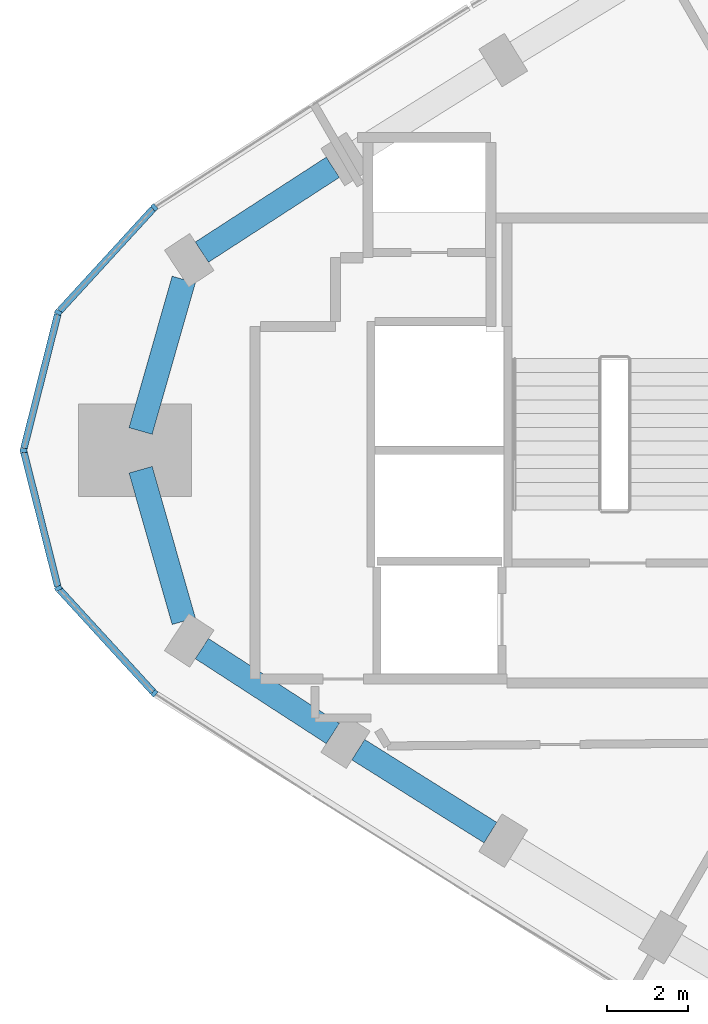
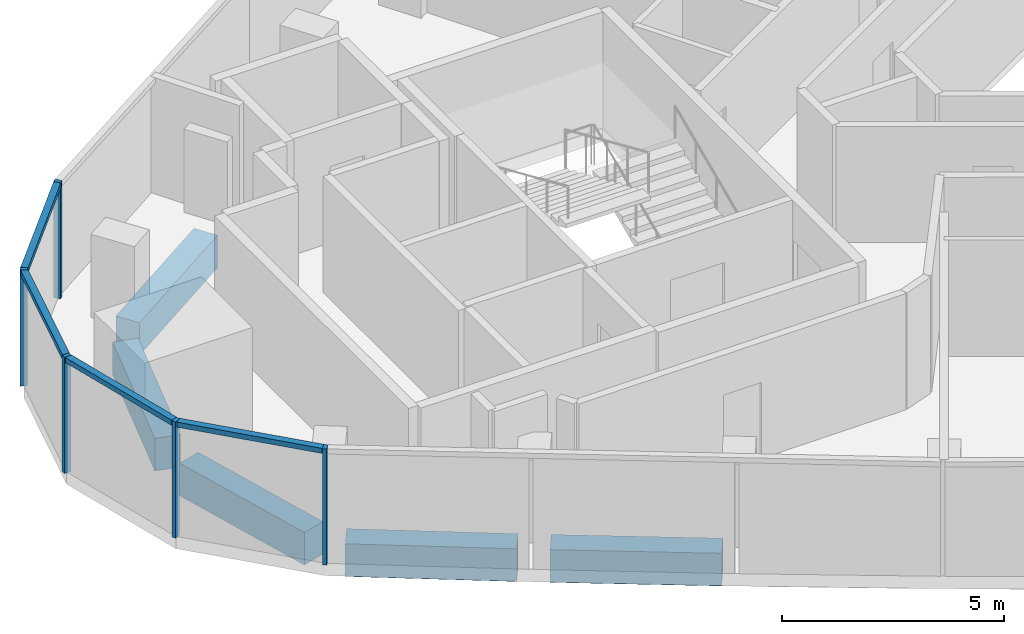
# One storey, part 2 of 11: 9 members, 5 beams, 2 elements without a shape of their own.
"""IFC4 building model written with IfcOpenShell, lengths in metres."""

from ifc_helpers import new_model, si_unit, direction, frame, origin, origin_2d, place, context, subcontext, project, spatial, rectangle, extrude, material, material_profile, profile_set, type_object, element, aggregate, save


model = new_model("IFC4")

# Units and contexts
model_context = context("Model", 3, precision=1e-05, world=origin(), true_north=direction((0.0, 1.0)))
body_context = subcontext(model_context, "Body", "Model", "MODEL_VIEW")
ifc_project = project(units=[si_unit("LENGTHUNIT", "METRE"), si_unit("AREAUNIT", "SQUARE_METRE"), si_unit("VOLUMEUNIT", "CUBIC_METRE"), si_unit("PLANEANGLEUNIT", "RADIAN"), si_unit("MASSUNIT", "GRAM", prefix="KILO")], contexts=[model_context])

# Site, building, storey
site_placement = place(None, origin())
site = spatial("IfcSite", under=ifc_project, at=site_placement, CompositionType="ELEMENT")
building_placement = place(site_placement, origin())
building = spatial("IfcBuilding", under=site, at=building_placement, Name="Tamra Quay Hotel Tower", CompositionType="ELEMENT")
storey_placement = place(building_placement, frame((0.0, 0.0, 253.800048828125)))
storey = spatial("IfcBuildingStorey", under=building, at=storey_placement, Name="L64", CompositionType="ELEMENT", Elevation=253.800048828125)

# Curtain wall, members
ifc_material_1 = material(Name="Aluminium 6063 anodised dark grey", Category="aluminium")
curtain_wall_type_1 = type_object("IfcCurtainWallType", Name="CW2 CURTAIN WALL", PredefinedType="NOTDEFINED", material=ifc_material_1)
curtain_wall_1_placement = place(storey_placement, origin())
curtain_wall_1 = element("IfcCurtainWall", 1, at=curtain_wall_1_placement, inside=storey, type_object=curtain_wall_type_1, Name="CW2 north-west face L64", PredefinedType="NOTDEFINED")
ifc_material_profile_1 = material_profile(ifc_material_1, rectangle(XDim=0.169921875, YDim=0.10009765625, at=origin_2d()), Name="MULLION 100X170")
ifc_profile_set_1 = profile_set([ifc_material_profile_1], Name="Aluminium 6063 anodised dark grey")
member_type_1 = type_object("IfcMemberType", Name="MULLION CW2 Z5", PredefinedType="MULLION", material=ifc_profile_set_1)
member_1_placement = place(storey_placement, frame((-24.941650390625, 6.034423828125, 0.0), z_axis=(0.0, 0.0, 1.0), x_axis=(-0.645846473255, 0.763467309702, 0.0)))
member_1 = element("IfcMember", 2, at=member_1_placement, type_object=member_type_1, Name="CW2 mullion L64.NW.9", PredefinedType="MULLION", context=body_context, shape_type="SweptSolid", body=[
    extrude(rectangle(XDim=0.169921875, YDim=0.10009765625, at=origin_2d()), origin(), (0.0, 0.0, 1.0), 3.199951171875),
])
member_2_placement = place(storey_placement, frame((-27.329345703125, 3.427734375, 0.0), z_axis=(0.0, 0.0, 1.0), x_axis=(-0.880266804781, 0.474479032624, 0.0)))
member_2 = element("IfcMember", 3, at=member_2_placement, type_object=member_type_1, Name="CW2 mullion L64.NW.10", PredefinedType="MULLION", context=body_context, shape_type="SweptSolid", body=[
    extrude(rectangle(XDim=0.169921875, YDim=0.10009765625, at=origin_2d()), origin(), (0.0, 0.0, 1.0), 3.199951171875),
])
member_3_placement = place(storey_placement, frame((-28.1943359375, 0.0, 0.0), z_axis=(0.0, 0.0, 1.0), x_axis=(-1.0, 0.0, 0.0)))
member_3 = element("IfcMember", 4, at=member_3_placement, type_object=member_type_1, Name="CW2 mullion L64.NW.11", PredefinedType="MULLION", context=body_context, shape_type="SweptSolid", body=[
    extrude(rectangle(XDim=0.169921875, YDim=0.10009765625, at=origin_2d()), origin(), (0.0, 0.0, 1.0), 3.199951171875),
])
member_4_placement = place(storey_placement, frame((-27.329345703125, -3.427734375, 0.0), z_axis=(0.0, 0.0, 1.0), x_axis=(-0.880266804781, -0.474479032624, 0.0)))
member_4 = element("IfcMember", 5, at=member_4_placement, type_object=member_type_1, Name="CW2 mullion L64.NW.12", PredefinedType="MULLION", context=body_context, shape_type="SweptSolid", body=[
    extrude(rectangle(XDim=0.169921875, YDim=0.10009765625, at=origin_2d()), origin(), (0.0, 0.0, 1.0), 3.199951171875),
])

# Curtain wall, member
curtain_wall_type_2 = type_object("IfcCurtainWallType", Name="CW3 CURTAIN WALL", PredefinedType="NOTDEFINED", material=ifc_material_1)
curtain_wall_2_placement = place(storey_placement, origin())
curtain_wall_2 = element("IfcCurtainWall", 6, at=curtain_wall_2_placement, inside=storey, type_object=curtain_wall_type_2, Name="CW3 south-west face L64", PredefinedType="NOTDEFINED")
ifc_material_profile_2 = material_profile(ifc_material_1, rectangle(XDim=0.169921875, YDim=0.10009765625, at=origin_2d()), Name="MULLION 100X170")
ifc_profile_set_2 = profile_set([ifc_material_profile_2], Name="Aluminium 6063 anodised dark grey")
member_type_2 = type_object("IfcMemberType", Name="MULLION CW3 Z5", PredefinedType="MULLION", material=ifc_profile_set_2)
member_5_placement = place(storey_placement, frame((-24.941650390625, -6.034423828125, 0.0), z_axis=(0.0, 0.0, 1.0), x_axis=(-0.645846473255, -0.763467309702, 0.0)))
member_5 = element("IfcMember", 7, at=member_5_placement, type_object=member_type_2, Name="CW3 mullion L64.SW.1", PredefinedType="MULLION", context=body_context, shape_type="SweptSolid", body=[
    extrude(rectangle(XDim=0.169921875, YDim=0.10009765625, at=origin_2d()), origin(), (0.0, 0.0, 1.0), 3.199951171875),
])
aggregate(curtain_wall_2, [member_5])

# Beams
ifc_material_2 = material(Name="Concrete M60", Category="concrete")
ifc_material_profile_3 = material_profile(ifc_material_2, rectangle(XDim=0.60009765625, YDim=0.89990234375, at=origin_2d()), Name="SPANDREL BEAM RC 600x900")
ifc_profile_set_3 = profile_set([ifc_material_profile_3], Name="Concrete M60")
beam_type = type_object("IfcBeamType", Name="SPANDREL BEAM RC 600x900", PredefinedType="SPANDREL", material=ifc_profile_set_3)
beam_1_placement = place(storey_placement, frame((-20.509521484375, 7.03125, -0.800048828125), z_axis=(-0.839181205466, -0.543851914029, 0.0), x_axis=(0.543851914029, -0.839181205466, 0.0)))
element("IfcBeam", 8, at=beam_1_placement, inside=storey, type_object=beam_type, Name="BM-SP5-017-L64", PredefinedType="SPANDREL", context=body_context, shape_type="SweptSolid", body=[
    extrude(rectangle(XDim=0.60009765625, YDim=0.89990234375, at=origin_2d()), origin(), (0.0, 0.0, 1.0), 3.87548828125),
])
for number, where, z_axis, x_axis, name in (
    (9, (-24.2119140625, 4.24365234375, -0.800048828125), (-0.273913429616, -0.961754351732, 0.0), (0.961754351732, -0.273913429616, 0.0), "BM-SP5-018-L64"),
    (10, (-25.28369140625, -0.48046875, -0.800048828125), (0.273913429616, -0.961754351732, 0.0), (0.961754351732, 0.273913429616, 0.0), "BM-SP5-019-L64"),
):
    element("IfcBeam", number, at=place(storey_placement, frame(where, z_axis=z_axis, x_axis=x_axis)), inside=storey, type_object=beam_type, Name=name, PredefinedType="SPANDREL", context=body_context, shape_type="SweptSolid", body=[
        extrude(rectangle(XDim=0.60009765625, YDim=0.89990234375, at=origin_2d()), origin(), (0.0, 0.0, 1.0), 3.912841796875),
    ])
beam_2_placement = place(storey_placement, frame((-23.76171875, -4.923583984375, -0.800048828125), z_axis=(0.839181205466, -0.543851914029, 0.0), x_axis=(0.543851914029, 0.839181205466, 0.0)))
element("IfcBeam", 11, at=beam_2_placement, inside=storey, type_object=beam_type, Name="BM-SP5-020-L64", PredefinedType="SPANDREL", context=body_context, shape_type="SweptSolid", body=[
    extrude(rectangle(XDim=0.60009765625, YDim=0.89990234375, at=origin_2d()), origin(), (0.0, 0.0, 1.0), 3.87548828125),
])
beam_3_placement = place(storey_placement, frame((-19.877197265625, -7.4345703125, -0.800048828125), z_axis=(0.847066119134, -0.53148752555, 0.0), x_axis=(0.53148752555, 0.847066119134, 0.0)))
element("IfcBeam", 12, at=beam_3_placement, inside=storey, type_object=beam_type, Name="BM-SP5-021-L64", PredefinedType="SPANDREL", context=body_context, shape_type="SweptSolid", body=[
    extrude(rectangle(XDim=0.60009765625, YDim=0.89990234375, at=origin_2d()), origin(), (0.0, 0.0, 1.0), 3.875),
])

# Member
ifc_material_profile_4 = material_profile(ifc_material_1, rectangle(XDim=0.169921875, YDim=0.139892578125, at=origin_2d()), Name="TRANSOM 170X140")
ifc_profile_set_4 = profile_set([ifc_material_profile_4], Name="Aluminium 6063 anodised dark grey")
member_type_3 = type_object("IfcMemberType", Name="TRANSOM CW2 Z5", PredefinedType="USERDEFINED", material=ifc_profile_set_4)
member_6_placement = place(storey_placement, frame((-24.975341796875, 5.99755859375, 3.1298828125), z_axis=(-0.675476773907, -0.737381263603, 0.0), x_axis=(0.737381263603, -0.675476773907, 0.0)))
member_6 = element("IfcMember", 13, at=member_6_placement, type_object=member_type_3, Name="CW2 transom L64.NW.9", ObjectType="TRANSOM", PredefinedType="USERDEFINED", context=body_context, shape_type="SweptSolid", body=[
    extrude(rectangle(XDim=0.169921875, YDim=0.139892578125, at=origin_2d()), origin(), (0.0, 0.0, 1.0), 3.43505859375),
])

member_7_placement = place(storey_placement, frame((-27.341552734375, 3.379150390625, 3.1298828125), z_axis=(-0.244709055597, -0.969596554299, 0.0), x_axis=(0.969596554299, -0.244709055597, 0.0)))
member_7 = element("IfcMember", 14, at=member_7_placement, type_object=member_type_3, Name="CW2 transom L64.NW.10", ObjectType="TRANSOM", PredefinedType="USERDEFINED", context=body_context, shape_type="SweptSolid", body=[
    extrude(rectangle(XDim=0.169921875, YDim=0.139892578125, at=origin_2d()), origin(), (0.0, 0.0, 1.0), 3.43505859375),
])

member_8_placement = place(storey_placement, frame((-28.18212890625, -0.048583984375, 3.1298828125), z_axis=(0.244709055597, -0.969596554299, 0.0), x_axis=(0.969596554299, 0.244709055597, 0.0)))
member_8 = element("IfcMember", 15, at=member_8_placement, type_object=member_type_3, Name="CW2 transom L64.NW.11", ObjectType="TRANSOM", PredefinedType="USERDEFINED", context=body_context, shape_type="SweptSolid", body=[
    extrude(rectangle(XDim=0.169921875, YDim=0.139892578125, at=origin_2d()), origin(), (0.0, 0.0, 1.0), 3.43505859375),
])

member_9_placement = place(storey_placement, frame((-27.295654296875, -3.464599609375, 3.1298828125), z_axis=(0.675476773907, -0.737381263603, 0.0), x_axis=(0.737381263603, 0.675476773907, 0.0)))
member_9 = element("IfcMember", 16, at=member_9_placement, type_object=member_type_3, Name="CW2 transom L64.NW.12", ObjectType="TRANSOM", PredefinedType="USERDEFINED", context=body_context, shape_type="SweptSolid", body=[
    extrude(rectangle(XDim=0.169921875, YDim=0.139892578125, at=origin_2d()), origin(), (0.0, 0.0, 1.0), 3.43505859375),
])

aggregate(curtain_wall_1, [member_1, member_6, member_2, member_7, member_3, member_8, member_4, member_9])

save(model, "model.ifc")
